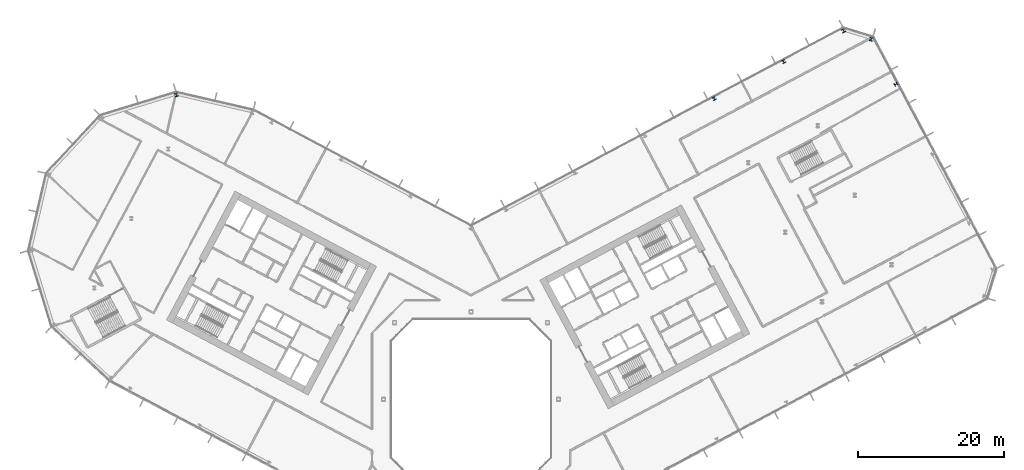
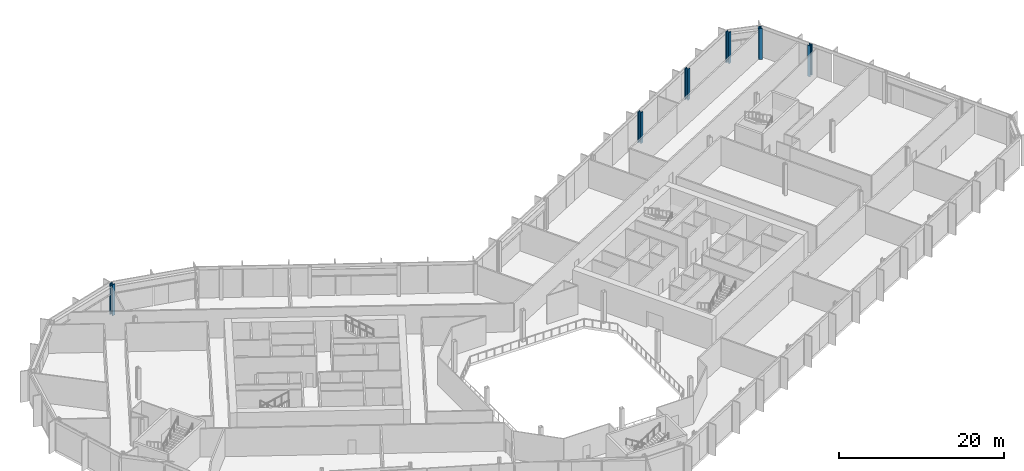
# One storey, part 5 of 31: 6 columns.
"""IFC4 building model written with IfcOpenShell, lengths in metres."""

from ifc_helpers import new_model, si_unit, direction, frame, origin, origin_2d, place, context, subcontext, project, spatial, i_section, extrude, material, material_profile, profile_set, type_object, element, save


model = new_model("IFC4")

# Units and contexts
model_context = context("Model", 3, precision=1e-05, world=origin(), true_north=direction((0.0, 1.0)))
body_context = subcontext(model_context, "Body", "Model", "MODEL_VIEW")
ifc_project = project(units=[si_unit("LENGTHUNIT", "METRE"), si_unit("AREAUNIT", "SQUARE_METRE"), si_unit("VOLUMEUNIT", "CUBIC_METRE"), si_unit("PLANEANGLEUNIT", "RADIAN"), si_unit("MASSUNIT", "GRAM", prefix="KILO")], contexts=[model_context])

# Site, building, storey
site_placement = place(None, origin())
site = spatial("IfcSite", under=ifc_project, at=site_placement, CompositionType="ELEMENT")
building_placement = place(site_placement, origin())
building = spatial("IfcBuilding", under=site, at=building_placement, Name="Cormorant Relay Tower", CompositionType="ELEMENT")
storey_placement = place(building_placement, frame((0.0, 0.0, 93.800048828125)))
storey = spatial("IfcBuildingStorey", under=building, at=storey_placement, Name="L18", CompositionType="ELEMENT", Elevation=93.800048828125)

# Columns
ifc_material_1 = material(Name="Steel ASTM A992 (Fy 345 MPa)", Category="steel")
ifc_material_profile_1 = material_profile(ifc_material_1, i_section(OverallWidth=0.42431640625, OverallDepth=0.47509765625, WebThickness=0.0478515625, FlangeThickness=0.0771484375, FilletRadius=0.014892578125, at=origin_2d()), Name="W360x634")
ifc_profile_set_1 = profile_set([ifc_material_profile_1], Name="Steel ASTM A992 (Fy 345 MPa)")
column_type_1 = type_object("IfcColumnType", Name="Column W360x634", PredefinedType="COLUMN", material=ifc_profile_set_1)
for number, where, z_axis, x_axis, name in (
    (1, (33.342041015625, 41.239990234375, 0.0), (0.0, 0.0, 1.0), (-0.882947592859, -0.469471562786, 0.0), "Column L18-049"),
    (2, (58.2900390625, 43.22509765625, 0.0), (0.0, 0.0, 1.0), (-0.469471562786, 0.882947592859, 0.0), "Column L18-051"),
    (3, (42.876953125, 46.31005859375, 0.0), (0.0, 0.0, 1.0), (-0.882947592859, -0.469471562786, 0.0), "Column L18-052"),
):
    element("IfcColumn", number, at=place(storey_placement, frame(where, z_axis=z_axis, x_axis=x_axis)), inside=storey, type_object=column_type_1, Name=name, PredefinedType="COLUMN", context=body_context, shape_type="SweptSolid", body=[
        extrude(i_section(OverallWidth=0.42431640625, OverallDepth=0.47509765625, WebThickness=0.0478515625, FlangeThickness=0.0771484375, FilletRadius=0.014892578125, at=origin_2d()), origin(), (0.0, 0.0, 1.0), 4.599853515625),
    ])
ifc_material_2 = material(Name="Steel ASTM A992 (Fy 345 MPa)", Category="steel")
ifc_material_profile_2 = material_profile(ifc_material_2, i_section(OverallWidth=0.43701171875, OverallDepth=0.51318359375, WebThickness=0.060546875, FlangeThickness=0.096923828125, FilletRadius=0.015380859375, at=origin_2d()), Name="W360x818")
ifc_profile_set_2 = profile_set([ifc_material_profile_2], Name="Steel ASTM A992 (Fy 345 MPa)")
column_type_2 = type_object("IfcColumnType", Name="Column W360x818", PredefinedType="COLUMN", material=ifc_profile_set_2)
for number, where, z_axis, x_axis, name in (
    (4, (-40.452880859375, 41.763916015625, 0.0), (0.0, 0.0, 1.0), (-0.956304755963, -0.292371704723, 0.0), "Column L18-050"),
    (5, (54.885986328125, 49.409912109375, 0.0), (0.0, 0.0, 1.0), (-0.956304755963, 0.292371704723, 0.0), "Column L18-053"),
    (6, (51.10009765625, 50.56689453125, 0.0), (0.0, 0.0, 1.0), (-0.882947592859, -0.469471562786, 0.0), "Column L18-054"),
):
    element("IfcColumn", number, at=place(storey_placement, frame(where, z_axis=z_axis, x_axis=x_axis)), inside=storey, type_object=column_type_2, Name=name, PredefinedType="COLUMN", context=body_context, shape_type="SweptSolid", body=[
        extrude(i_section(OverallWidth=0.43701171875, OverallDepth=0.51318359375, WebThickness=0.060546875, FlangeThickness=0.096923828125, FilletRadius=0.015380859375, at=origin_2d()), origin(), (0.0, 0.0, 1.0), 4.599853515625),
    ])

save(model, "model.ifc")
